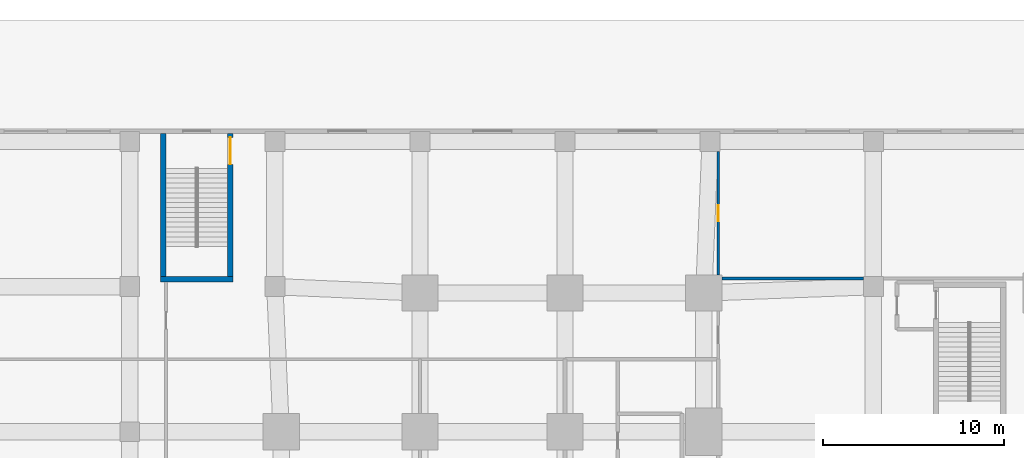
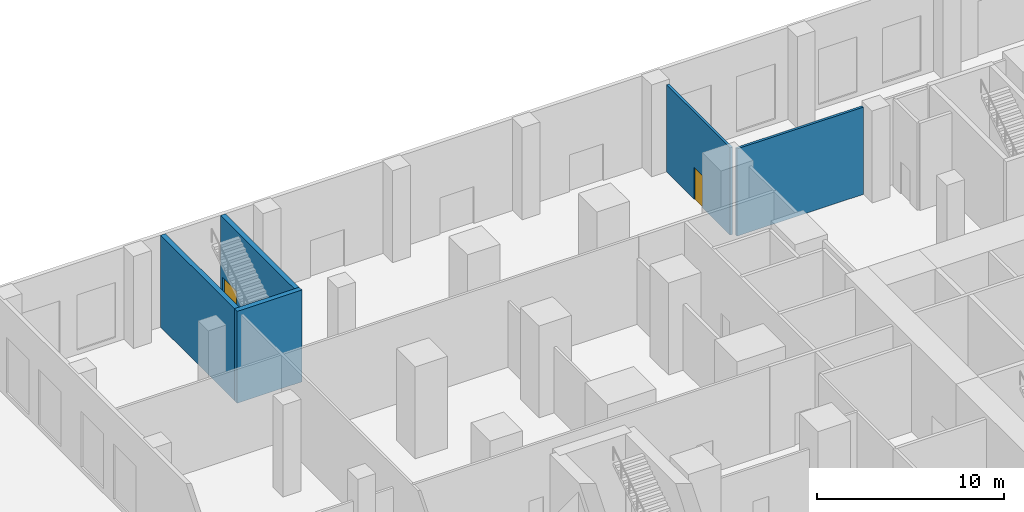
# One storey, part 10 of 16: 5 walls, 2 doors, 2 openings.
"""IFC4 building model written with IfcOpenShell, lengths in metres."""

import ifcopenshell
import ifcopenshell.guid

model = None  # the IFC model being written
_history = None  # IfcOwnerHistory: only IFC2X3 demands one
_inside = {}  # id of a spatial element -> (the spatial element, [elements in it])
_under = {}  # id of a project, library or spatial element -> (it, [spatial elements below it])
_declared = {}  # id of a project -> (the project, [libraries it declares])
_typed = {}  # id of a type object -> (the type object, [elements of that type])
_made_of = {}  # id of a material, layer set ... -> (it, [elements and type objects made of it])


def new_model(schema):
    """Start an empty IFC model of exactly this schema.

    Asked for "IFC4X3", IfcOpenShell would pick the latest addendum, in which some entities
    have other attributes; the version numbers below select the first issue.
    IFC2X3 requires an IfcOwnerHistory on every rooted entity: one is made here for all.
    """
    global model, _history
    if schema == "IFC4X3":
        model = ifcopenshell.file(schema_version=(4, 3, 0, 0))
    else:
        model = ifcopenshell.file(schema=schema)
    _inside.clear()
    _under.clear()
    _declared.clear()
    _typed.clear()
    _made_of.clear()
    _history = None
    if model.schema == "IFC2X3":
        org = make("IfcOrganization", Name="unknown")
        user = make(
            "IfcPersonAndOrganization",
            ThePerson=make("IfcPerson", FamilyName="unknown"),
            TheOrganization=org,
        )
        app = make(
            "IfcApplication",
            ApplicationDeveloper=org,
            Version="unknown",
            ApplicationFullName="unknown",
            ApplicationIdentifier="unknown",
        )
        _history = make(
            "IfcOwnerHistory",
            OwningUser=user,
            OwningApplication=app,
            ChangeAction="ADDED",
            CreationDate=0,
        )
    return model


def make(cls, **values):
    """One entity of the class cls with the attributes given. An attribute that is None is left unset."""
    return model.create_entity(
        cls, **{name: value for name, value in values.items() if value is not None}
    )


def rooted(cls, **values):
    """An entity with a GlobalId (a new one), such as an element, a storey or a relation."""
    return make(cls, GlobalId=ifcopenshell.guid.new(), OwnerHistory=_history, **values)


def si_unit(unit_type, name, prefix=None):
    """IfcSIUnit, for example si_unit("LENGTHUNIT", "METRE", prefix="MILLI")."""
    return make("IfcSIUnit", UnitType=unit_type, Prefix=prefix, Name=name)


def assignment(units):
    """IfcUnitAssignment: the units of a project."""
    return None if units is None else make("IfcUnitAssignment", Units=units)


def point(xyz):
    """IfcCartesianPoint."""
    return None if xyz is None else make("IfcCartesianPoint", Coordinates=xyz)


def direction(xyz):
    """IfcDirection."""
    return None if xyz is None else make("IfcDirection", DirectionRatios=xyz)


def frame(location, z_axis=None, x_axis=None):
    """IfcAxis2Placement3D, a coordinate frame: its origin and axes. An axis left out is left unset."""
    return make(
        "IfcAxis2Placement3D",
        Location=point(location),
        Axis=direction(z_axis),
        RefDirection=direction(x_axis),
    )


def frame_2d(location, x_axis=None):
    """IfcAxis2Placement2D, a coordinate frame in the plane: its origin and x axis."""
    return make(
        "IfcAxis2Placement2D", Location=point(location), RefDirection=direction(x_axis)
    )


def origin():
    """The frame at (0, 0, 0) with its axes left unset."""
    return frame((0.0, 0.0, 0.0))


def place(relative_to, where):
    """IfcLocalPlacement: puts the frame where relative to a parent placement (None: the world)."""
    return make(
        "IfcLocalPlacement", PlacementRelTo=relative_to, RelativePlacement=where
    )


def context(
    kind, dimensions, precision=None, world=None, true_north=None, identifier=None
):
    """IfcGeometricRepresentationContext, for example the 3D "Model" context."""
    return make(
        "IfcGeometricRepresentationContext",
        ContextIdentifier=identifier,
        ContextType=kind,
        CoordinateSpaceDimension=dimensions,
        Precision=precision,
        WorldCoordinateSystem=world,
        TrueNorth=true_north,
    )


def subcontext(parent, identifier, kind, view, scale=None):
    """IfcGeometricRepresentationSubContext, for example "Body" below "Model"."""
    return make(
        "IfcGeometricRepresentationSubContext",
        ContextIdentifier=identifier,
        ContextType=kind,
        ParentContext=parent,
        TargetScale=scale,
        TargetView=view,
    )


def project(units=None, contexts=None):
    """IfcProject with its units and contexts."""
    return rooted(
        "IfcProject",
        Name="project",
        RepresentationContexts=contexts,
        UnitsInContext=assignment(units),
    )


def spatial(cls, under=None, at=None, **own):
    """A site, building, storey or space (cls), placed at a placement, below another one or the project."""
    s = rooted(cls, ObjectPlacement=at, **own)
    if under is not None:
        _under.setdefault(under.id(), (under, []))[1].append(s)
    return s


def profile(cls, at=None, kind="AREA", **sizes):
    """A parametric profile (cls). Its sizes go by their IFC names, for example OverallWidth=200.0."""
    return make(cls, ProfileType=kind, Position=at, **sizes)


def rectangle(**sizes):
    """IfcRectangleProfileDef."""
    return profile("IfcRectangleProfileDef", **sizes)


def extrude(swept, where, along, depth):
    """IfcExtrudedAreaSolid: the profile swept, set in the frame where, extruded along a direction by depth."""
    return make(
        "IfcExtrudedAreaSolid",
        SweptArea=swept,
        Position=where,
        ExtrudedDirection=direction(along),
        Depth=depth,
    )


def shape(context_of_items, identifier, shape_type, items):
    """IfcShapeRepresentation: the items that make up one representation, for example the "Body"."""
    return make(
        "IfcShapeRepresentation",
        ContextOfItems=context_of_items,
        RepresentationIdentifier=identifier,
        RepresentationType=shape_type,
        Items=items,
    )


def material(Name=None, Category=None):
    """IfcMaterial."""
    return make("IfcMaterial", Name=Name, Category=Category)


def layer(
    of_material, thickness, ventilated=None, Name=None, Category=None, Priority=None
):
    """IfcMaterialLayer: one layer of a wall or slab, of a material (None: an air gap)."""
    return make(
        "IfcMaterialLayer",
        Material=of_material,
        LayerThickness=thickness,
        IsVentilated=ventilated,
        Name=Name,
        Category=Category,
        Priority=Priority,
    )


def layer_set(layers, Name=None):
    """IfcMaterialLayerSet."""
    return make("IfcMaterialLayerSet", MaterialLayers=layers, LayerSetName=Name)


def made_of(thing, what):
    """Note that an element or type object is made of a material, layer set ...; save() writes the relation."""
    if what is not None:
        _made_of.setdefault(what.id(), (what, []))[1].append(thing)
    return thing


def type_object(cls, material=None, **own):
    """A type object (cls), such as IfcWallType, which elements share."""
    return made_of(rooted(cls, **own), material)


def element(
    cls,
    number,
    at=None,
    inside=None,
    cuts=None,
    type_object=None,
    material=None,
    context=None,
    identifier="Body",
    shape_type=None,
    held_by="IfcProductDefinitionShape",
    body=None,
    shapes=None,
    **own,
):
    """One element of the class cls, such as IfcWall. Its Tag is "e" and its number.

    at: its placement. inside: the storey or other place that contains it. cuts: it is an
    opening in that element (IfcRelVoidsElement). A single representation is given by context,
    identifier, shape_type and body (its items); several are given by shapes. held_by: the class
    of the entity that holds the representations. save() writes the other relations.
    """
    e = rooted(cls, Tag="e%d" % number, ObjectPlacement=at, **own)
    if body is not None:
        shapes = [shape(context, identifier, shape_type, body)]
    if shapes is not None:
        e.Representation = make(held_by, Representations=shapes)
    if inside is not None:
        _inside.setdefault(inside.id(), (inside, []))[1].append(e)
    if cuts is not None:
        rooted(
            "IfcRelVoidsElement", RelatingBuildingElement=cuts, RelatedOpeningElement=e
        )
    if type_object is not None:
        _typed.setdefault(type_object.id(), (type_object, []))[1].append(e)
    return made_of(e, material)


def fill(opening, filler):
    """IfcRelFillsElement: the door or window that sits in an opening."""
    return rooted(
        "IfcRelFillsElement",
        RelatingOpeningElement=opening,
        RelatedBuildingElement=filler,
    )


def aggregate(whole, parts):
    """IfcRelAggregates: a whole, such as a stair, and the parts it consists of."""
    return rooted("IfcRelAggregates", RelatingObject=whole, RelatedObjects=parts)


def save(model, path):
    """Write the relations noted so far, then the file.

    IfcRelAggregates (storeys below a building ...), IfcRelContainedInSpatialStructure (elements
    in a storey), IfcRelDefinesByType, IfcRelAssociatesMaterial and IfcRelDeclares: one each for
    every whole, place, type object, material and project.
    """
    for whole, parts in _under.values():
        aggregate(whole, parts)
    for where, things in _inside.values():
        rooted(
            "IfcRelContainedInSpatialStructure",
            RelatedElements=things,
            RelatingStructure=where,
        )
    for kind, things in _typed.values():
        rooted("IfcRelDefinesByType", RelatedObjects=things, RelatingType=kind)
    for what, things in _made_of.values():
        rooted("IfcRelAssociatesMaterial", RelatedObjects=things, RelatingMaterial=what)
    for by, libraries in _declared.values():
        rooted("IfcRelDeclares", RelatingContext=by, RelatedDefinitions=libraries)
    model.write(path)


model = new_model("IFC4")

# Units and contexts
model_context = context("Model", 3, precision=1e-05, world=origin(), true_north=direction((0.0, 1.0)))
body_context = subcontext(model_context, "Body", "Model", "MODEL_VIEW")
ifc_project = project(units=[si_unit("LENGTHUNIT", "METRE"), si_unit("AREAUNIT", "SQUARE_METRE"), si_unit("VOLUMEUNIT", "CUBIC_METRE"), si_unit("PLANEANGLEUNIT", "RADIAN"), si_unit("MASSUNIT", "GRAM", prefix="KILO")], contexts=[model_context])

# Site, building, storey
site_placement = place(None, origin())
site = spatial("IfcSite", under=ifc_project, at=site_placement, CompositionType="ELEMENT")
building_placement = place(site_placement, origin())
building = spatial("IfcBuilding", under=site, at=building_placement, Name="Cleftline Residences", CompositionType="ELEMENT")
storey_placement = place(building_placement, origin())
storey = spatial("IfcBuildingStorey", under=building, at=storey_placement, Name="L00", CompositionType="ELEMENT", Elevation=0.0)

# Wall
ifc_material_1 = material(Name="Gypsum board on steel studs", Category="steel")
ifc_layer_1 = layer(ifc_material_1, 0.14990234375)
ifc_layer_set_1 = layer_set([ifc_layer_1], Name="PARTITION 150")
wall_type_1 = type_object("IfcWallType", Name="PARTITION 150", PredefinedType="PARTITIONING", material=ifc_layer_set_1)
wall_1_placement = place(storey_placement, frame((24.64990234375, 48.449951171875, 0.0), z_axis=(0.0, 0.0, 1.0), x_axis=(1.0, 0.0, 0.0)))
element("IfcWall", 1, at=wall_1_placement, inside=storey, type_object=wall_type_1, Name="Partition", PredefinedType="PARTITIONING", context=body_context, shape_type="SweptSolid", body=[
    extrude(rectangle(XDim=7.800048828125, YDim=0.14990234375, at=frame_2d((3.89990234375, 0.0))), origin(), (0.0, 0.0, 1.0), 5.699951171875),
])

# Wall, opening, door
wall_2_placement = place(storey_placement, frame((24.449951171875, 48.64990234375, 0.0), z_axis=(0.0, 0.0, 1.0), x_axis=(0.0, 1.0, 0.0)))
wall_2 = element("IfcWall", 2, at=wall_2_placement, inside=storey, type_object=wall_type_1, Name="Partition", PredefinedType="PARTITIONING", context=body_context, shape_type="SweptSolid", body=[
    extrude(rectangle(XDim=6.800048828125, YDim=0.14990234375, at=frame_2d((3.39990234375, 0.0))), origin(), (0.0, 0.0, 1.0), 5.699951171875),
])
opening_1_placement = place(wall_2_placement, frame((2.949951171875, 0.0, 0.0)))
opening_1 = element("IfcOpeningElement", 3, at=opening_1_placement, cuts=wall_2, Name="Opening D1", PredefinedType="OPENING", context=body_context, shape_type="SweptSolid", body=[
    extrude(rectangle(XDim=0.89990234375, YDim=2.10009765625, at=frame_2d((0.449951171875, 1.050048828125))), frame((0.0, 0.0849609375, 0.0), z_axis=(0.0, -1.0, 0.0), x_axis=(1.0, 0.0, 0.0)), (0.0, 0.0, 1.0), 0.169921875),
])
ifc_material_2 = material(Name="Timber veneer on solid core", Category="wood")
door_type_1 = type_object("IfcDoorType", Name="DOOR 900X2100", OperationType="SINGLE_SWING_LEFT", PredefinedType="DOOR", material=ifc_material_2)
door_1_placement = place(opening_1_placement, origin())
door_1 = element("IfcDoor", 4, at=door_1_placement, inside=storey, type_object=door_type_1, Name="Door to goods receiving room", OperationType="SINGLE_SWING_LEFT", OverallHeight=2.10009765625, OverallWidth=0.89990234375, PredefinedType="DOOR", context=body_context, shape_type="SweptSolid", body=[
    extrude(rectangle(XDim=0.89990234375, YDim=2.10009765625, at=frame_2d((0.449951171875, 1.050048828125))), frame((0.0, 0.02490234375, 0.0), z_axis=(0.0, -1.0, 0.0), x_axis=(1.0, 0.0, 0.0)), (0.0, 0.0, 1.0), 0.050048828125),
])
fill(opening_1, door_1)

# Walls
ifc_material_3 = material(Name="Concrete blockwork, fire rated", Category="masonry")
ifc_layer_2 = layer(ifc_material_3, 0.300048828125)
ifc_layer_set_2 = layer_set([ifc_layer_2], Name="STAIR ENCLOSURE WALL 300")
wall_type_2 = type_object("IfcWallType", Name="STAIR ENCLOSURE WALL 300", PredefinedType="PARTITIONING", material=ifc_layer_set_2)
wall_3_placement = place(storey_placement, frame((-6.300048828125, 48.39990234375, 0.0), z_axis=(0.0, 0.0, 1.0), x_axis=(1.0, 0.0, 0.0)))
element("IfcWall", 5, at=wall_3_placement, inside=storey, type_object=wall_type_2, Name="Stair PS-W enclosure", PredefinedType="PARTITIONING", context=body_context, shape_type="SweptSolid", body=[
    extrude(rectangle(XDim=4.0, YDim=0.300048828125, at=frame_2d((2.0, 0.0))), origin(), (0.0, 0.0, 1.0), 6.0),
])
wall_4_placement = place(storey_placement, frame((-6.14990234375, 48.550048828125, 0.0), z_axis=(0.0, 0.0, 1.0), x_axis=(0.0, 1.0, 0.0)))
element("IfcWall", 6, at=wall_4_placement, inside=storey, type_object=wall_type_2, Name="Stair PS-W enclosure", PredefinedType="PARTITIONING", context=body_context, shape_type="SweptSolid", body=[
    extrude(rectangle(XDim=7.89990234375, YDim=0.300048828125, at=frame_2d((3.949951171875, 0.0))), origin(), (0.0, 0.0, 1.0), 6.0),
])

# Wall, opening, door
wall_5_placement = place(storey_placement, frame((-2.449951171875, 48.550048828125, 0.0), z_axis=(0.0, 0.0, 1.0), x_axis=(0.0, 1.0, 0.0)))
wall_5 = element("IfcWall", 7, at=wall_5_placement, inside=storey, type_object=wall_type_2, Name="Stair PS-W enclosure", PredefinedType="PARTITIONING", context=body_context, shape_type="SweptSolid", body=[
    extrude(rectangle(XDim=7.89990234375, YDim=0.300048828125, at=frame_2d((3.949951171875, 0.0))), origin(), (0.0, 0.0, 1.0), 6.0),
])
opening_2_placement = place(wall_5_placement, frame((6.18505859375, 0.0, 0.0)))
opening_2 = element("IfcOpeningElement", 8, at=opening_2_placement, cuts=wall_5, Name="Opening D12", PredefinedType="OPENING", context=body_context, shape_type="SweptSolid", body=[
    extrude(rectangle(XDim=1.5, YDim=2.10009765625, at=frame_2d((0.75, 1.050048828125))), frame((0.0, 0.159912109375, 0.0), z_axis=(0.0, -1.0, 0.0), x_axis=(1.0, 0.0, 0.0)), (0.0, 0.0, 1.0), 0.320068359375),
])
ifc_material_4 = material(Name="Steel", Category="steel")
door_type_2 = type_object("IfcDoorType", Name="STAIR DOOR 1500X2100", OperationType="DOUBLE_DOOR_SINGLE_SWING", PredefinedType="DOOR", material=ifc_material_4)
door_2_placement = place(opening_2_placement, origin())
door_2 = element("IfcDoor", 9, at=door_2_placement, inside=storey, type_object=door_type_2, Name="Stair PS-W door", OperationType="DOUBLE_DOOR_SINGLE_SWING", OverallHeight=2.10009765625, OverallWidth=1.5, PredefinedType="DOOR", context=body_context, shape_type="SweptSolid", body=[
    extrude(rectangle(XDim=1.5, YDim=2.10009765625, at=frame_2d((0.75, 1.050048828125))), frame((0.0, 0.02490234375, 0.0), z_axis=(0.0, -1.0, 0.0), x_axis=(1.0, 0.0, 0.0)), (0.0, 0.0, 1.0), 0.050048828125),
])
fill(opening_2, door_2)

save(model, "model.ifc")
